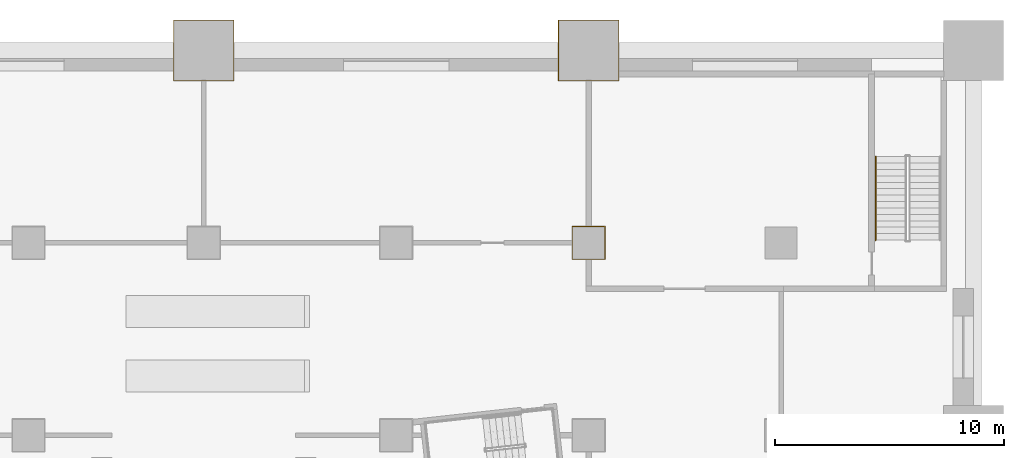
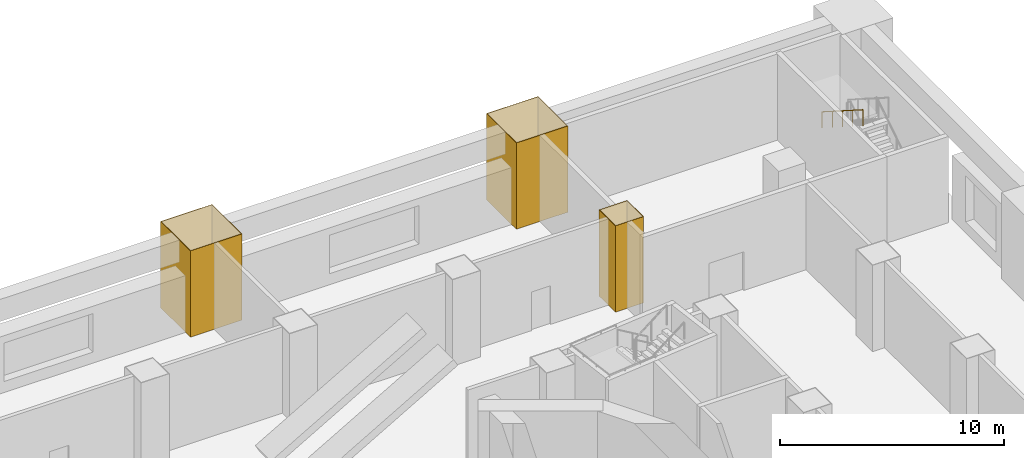
# One storey, part 16 of 19: 3 coverings, 1 railing.
"""IFC4 building model written with IfcOpenShell, lengths in metres."""

from ifc_helpers import new_model, si_unit, direction, frame, origin, origin_2d, place, context, subcontext, project, spatial, polyline, circle, outline, extrude, material, layer, layer_set, type_object, element, save


model = new_model("IFC4")

# Units and contexts
model_context = context("Model", 3, precision=1e-05, world=origin(), true_north=direction((0.0, 1.0)))
body_context = subcontext(model_context, "Body", "Model", "MODEL_VIEW")
ifc_project = project(units=[si_unit("LENGTHUNIT", "METRE"), si_unit("AREAUNIT", "SQUARE_METRE"), si_unit("VOLUMEUNIT", "CUBIC_METRE"), si_unit("PLANEANGLEUNIT", "RADIAN"), si_unit("MASSUNIT", "GRAM", prefix="KILO")], contexts=[model_context])

# Site, building, storey
site_placement = place(None, origin())
site = spatial("IfcSite", under=ifc_project, at=site_placement, CompositionType="ELEMENT")
building_placement = place(site_placement, origin())
building = spatial("IfcBuilding", under=site, at=building_placement, Name="Cantera Rosa Tower", CompositionType="ELEMENT")
storey_placement = place(building_placement, frame((0.0, 0.0, 12.0)))
storey = spatial("IfcBuildingStorey", under=building, at=storey_placement, Name="L01", CompositionType="ELEMENT", Elevation=12.0)

# Coverings
ifc_material_1 = material(Name="Plaster")
ifc_layer = layer(ifc_material_1, 0.030029296875)
ifc_layer_set = layer_set([ifc_layer], Name="Column casing 30")
covering_type = type_object("IfcCoveringType", Name="Column casing 30", PredefinedType="CLADDING", material=ifc_layer_set)
covering_1_placement = place(storey_placement, origin())
element("IfcCovering", 1, at=covering_1_placement, inside=storey, type_object=covering_type, Name="Column casing L01-019", PredefinedType="CLADDING", context=body_context, shape_type="SweptSolid", body=[
    extrude(outline(polyline([(-1.330078125, 28.070068359375), (1.330078125, 28.070068359375), (1.330078125, 30.72998046875), (-1.330078125, 30.72998046875), (-1.330078125, 28.070068359375)]), holes=[polyline([(1.300048828125, 30.699951171875), (-1.300048828125, 30.699951171875), (-1.300048828125, 28.10009765625), (1.300048828125, 28.10009765625), (1.300048828125, 30.699951171875)])]), origin(), (0.0, 0.0, 1.0), 4.699951171875),
])
covering_2_placement = place(storey_placement, origin())
element("IfcCovering", 2, at=covering_2_placement, inside=storey, type_object=covering_type, Name="Column casing L01-030", PredefinedType="CLADDING", context=body_context, shape_type="SweptSolid", body=[
    extrude(outline(polyline([(16.070068359375, 20.27001953125), (17.530029296875, 20.27001953125), (17.530029296875, 21.72998046875), (16.070068359375, 21.72998046875), (16.070068359375, 20.27001953125)]), holes=[polyline([(17.5, 21.699951171875), (16.10009765625, 21.699951171875), (16.10009765625, 20.300048828125), (17.5, 20.300048828125), (17.5, 21.699951171875)])]), origin(), (0.0, 0.0, 1.0), 4.699951171875),
])
covering_3_placement = place(storey_placement, origin())
element("IfcCovering", 3, at=covering_3_placement, inside=storey, type_object=covering_type, Name="Column casing L01-031", PredefinedType="CLADDING", context=body_context, shape_type="SweptSolid", body=[
    extrude(outline(polyline([(15.469970703125, 28.070068359375), (18.1298828125, 28.070068359375), (18.1298828125, 30.72998046875), (15.469970703125, 30.72998046875), (15.469970703125, 28.070068359375)]), holes=[polyline([(18.10009765625, 30.699951171875), (15.5, 30.699951171875), (15.5, 28.10009765625), (18.10009765625, 28.10009765625), (18.10009765625, 30.699951171875)])]), origin(), (0.0, 0.0, 1.0), 4.699951171875),
])

# Railing
ifc_material_2 = material(Name="Steel S355J2 (EN 10025-2)", Category="steel")
railing_type = type_object("IfcRailingType", Name="STAIR HANDRAIL 900", PredefinedType="HANDRAIL", material=ifc_material_2)
railing_placement = place(storey_placement, frame((29.324951171875, 24.764892578125, 2.678466796875)))
element("IfcRailing", 4, at=railing_placement, inside=storey, type_object=railing_type, Name="L01 ST-NE stair handrail 2", PredefinedType="HANDRAIL", context=body_context, shape_type="SweptSolid", body=[
    extrude(circle(Radius=0.02392578125, at=origin_2d()), frame((0.0, 0.0, 0.8759765625), z_axis=(0.0, -0.843111507901, 0.53773877045), x_axis=(1.0, 0.0, 0.0)), (0.0, 0.0, 1.0), 4.317138671875),
    extrude(circle(Radius=0.02099609375, at=origin_2d()), origin(), (0.0, 0.0, 1.0), 0.851806640625),
    extrude(circle(Radius=0.02099609375, at=origin_2d()), frame((0.0, -0.909912109375, 0.580322265625)), (0.0, 0.0, 1.0), 0.851806640625),
    extrude(circle(Radius=0.02099609375, at=origin_2d()), frame((0.0, -1.81982421875, 1.16064453125)), (0.0, 0.0, 1.0), 0.851806640625),
    extrude(circle(Radius=0.02099609375, at=origin_2d()), frame((0.0, -2.72998046875, 1.7412109375)), (0.0, 0.0, 1.0), 0.851806640625),
    extrude(circle(Radius=0.02099609375, at=origin_2d()), frame((0.0, -3.639892578125, 2.321533203125)), (0.0, 0.0, 1.0), 0.851806640625),
])

save(model, "model.ifc")
